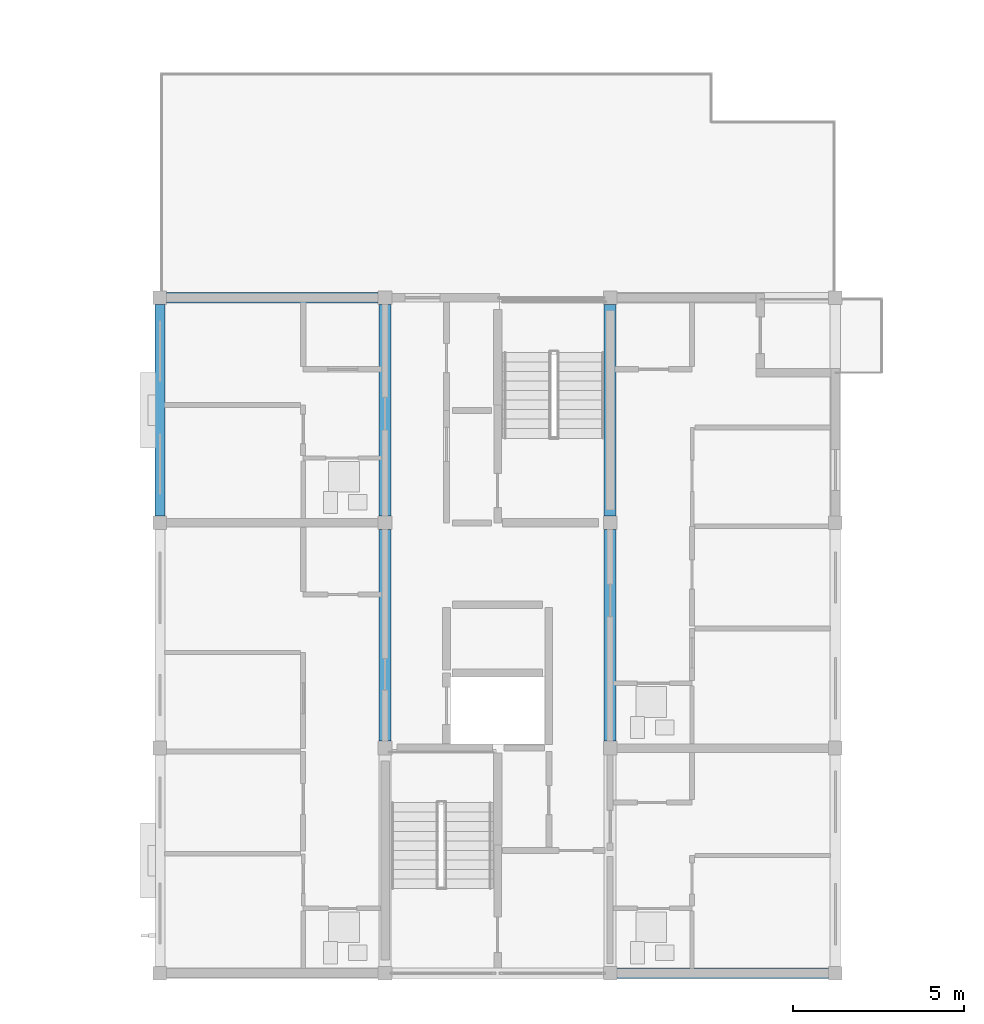
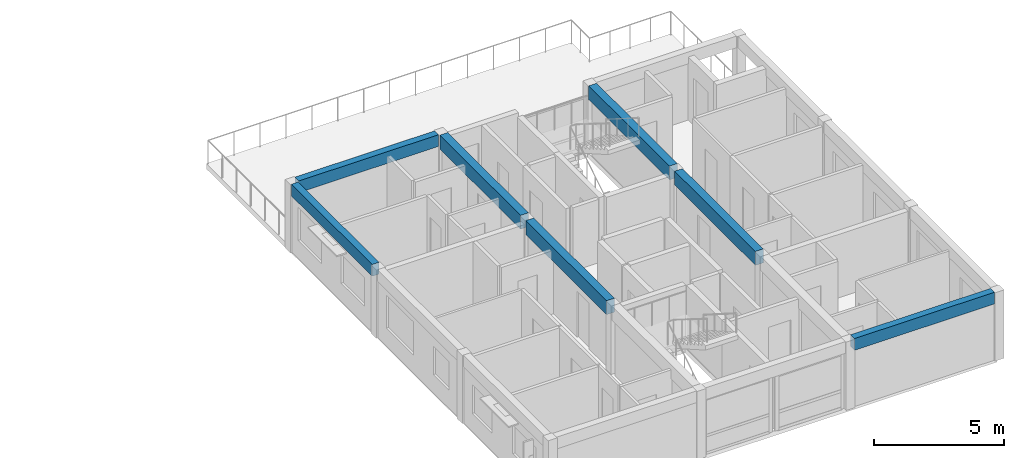
# One storey, part 6 of 37: 7 beams.
"""IFC4 building model written with IfcOpenShell, lengths in metres."""

from ifc_helpers import new_model, si_unit, direction, frame, origin, origin_2d, place, context, subcontext, project, spatial, rectangle, extrude, material, material_profile, profile_set, type_object, element, save


model = new_model("IFC4")

# Units and contexts
model_context = context("Model", 3, precision=1e-05, world=origin(), true_north=direction((0.0, 1.0)))
body_context = subcontext(model_context, "Body", "Model", "MODEL_VIEW")
ifc_project = project(units=[si_unit("LENGTHUNIT", "METRE"), si_unit("AREAUNIT", "SQUARE_METRE"), si_unit("VOLUMEUNIT", "CUBIC_METRE"), si_unit("PLANEANGLEUNIT", "RADIAN"), si_unit("MASSUNIT", "GRAM", prefix="KILO")], contexts=[model_context])

# Site, building, storey
site_placement = place(None, origin())
site = spatial("IfcSite", under=ifc_project, at=site_placement, CompositionType="ELEMENT")
building_placement = place(site_placement, origin())
building = spatial("IfcBuilding", under=site, at=building_placement, Name="Kernevlak Ridge Housing Community", CompositionType="ELEMENT")
storey_placement = place(building_placement, frame((0.0, 0.0, 37.199951171875)))
storey = spatial("IfcBuildingStorey", under=building, at=storey_placement, Name="L11", CompositionType="ELEMENT", Elevation=37.199951171875)

# Beams
ifc_material = material(Name="Concrete C35/45", Category="concrete")
ifc_material_profile_1 = material_profile(ifc_material, rectangle(XDim=0.35009765625, YDim=0.64990234375, at=origin_2d()), Name="RC 350x650")
ifc_profile_set_1 = profile_set([ifc_material_profile_1], Name="Concrete C35/45")
beam_type_1 = type_object("IfcBeamType", Name="B-02", PredefinedType="BEAM", material=ifc_profile_set_1)
beam_1_placement = place(storey_placement, frame((132.60009765625, 22.39990234375, 2.875), z_axis=(0.0, 1.0, 0.0), x_axis=(-1.0, 0.0, 0.0)))
element("IfcBeam", 1, at=beam_1_placement, inside=storey, type_object=beam_type_1, Name="Beam B-02 L11 1248", PredefinedType="BEAM", context=body_context, shape_type="SweptSolid", body=[
    extrude(rectangle(XDim=0.35009765625, YDim=0.64990234375, at=origin_2d()), origin(), (0.0, 0.0, 1.0), 6.2001953125),
])
beam_2_placement = place(storey_placement, frame((132.60009765625, 29.0, 2.875), z_axis=(0.0, 1.0, 0.0), x_axis=(-1.0, 0.0, 0.0)))
element("IfcBeam", 2, at=beam_2_placement, inside=storey, type_object=beam_type_1, Name="Beam B-02 L11 1249", PredefinedType="BEAM", context=body_context, shape_type="SweptSolid", body=[
    extrude(rectangle(XDim=0.35009765625, YDim=0.64990234375, at=origin_2d()), origin(), (0.0, 0.0, 1.0), 6.199951171875),
])
beam_3_placement = place(storey_placement, frame((139.199951171875, 22.39990234375, 2.875), z_axis=(0.0, 1.0, 0.0), x_axis=(-1.0, 0.0, 0.0)))
element("IfcBeam", 3, at=beam_3_placement, inside=storey, type_object=beam_type_1, Name="Beam B-02 L11 1251", PredefinedType="BEAM", context=body_context, shape_type="SweptSolid", body=[
    extrude(rectangle(XDim=0.35009765625, YDim=0.64990234375, at=origin_2d()), origin(), (0.0, 0.0, 1.0), 6.2001953125),
])
beam_4_placement = place(storey_placement, frame((139.199951171875, 29.0, 2.875), z_axis=(0.0, 1.0, 0.0), x_axis=(-1.0, 0.0, 0.0)))
element("IfcBeam", 4, at=beam_4_placement, inside=storey, type_object=beam_type_1, Name="Beam B-02 L11 1252", PredefinedType="BEAM", context=body_context, shape_type="SweptSolid", body=[
    extrude(rectangle(XDim=0.35009765625, YDim=0.64990234375, at=origin_2d()), origin(), (0.0, 0.0, 1.0), 6.199951171875),
])
ifc_material_profile_2 = material_profile(ifc_material, rectangle(XDim=0.300048828125, YDim=0.550048828125, at=origin_2d()), Name="RC 300x550")
ifc_profile_set_2 = profile_set([ifc_material_profile_2], Name="Concrete C35/45")
beam_type_2 = type_object("IfcBeamType", Name="SP-01", PredefinedType="SPANDREL", material=ifc_profile_set_2)
beam_5_placement = place(storey_placement, frame((126.0, 29.0, 2.925048828125), z_axis=(0.0, 1.0, 0.0), x_axis=(-1.0, 0.0, 0.0)))
element("IfcBeam", 5, at=beam_5_placement, inside=storey, type_object=beam_type_2, Name="Beam SP-01 L11 1246", PredefinedType="SPANDREL", context=body_context, shape_type="SweptSolid", body=[
    extrude(rectangle(XDim=0.300048828125, YDim=0.550048828125, at=origin_2d()), origin(), (0.0, 0.0, 1.0), 6.199951171875),
])
beam_6_placement = place(storey_placement, frame((139.39990234375, 15.60009765625, 2.925048828125), z_axis=(1.0, 0.0, 0.0), x_axis=(0.0, 1.0, 0.0)))
element("IfcBeam", 6, at=beam_6_placement, inside=storey, type_object=beam_type_2, Name="Beam SP-01 L11 1258", PredefinedType="SPANDREL", context=body_context, shape_type="SweptSolid", body=[
    extrude(rectangle(XDim=0.300048828125, YDim=0.550048828125, at=origin_2d()), origin(), (0.0, 0.0, 1.0), 6.2001953125),
])
beam_7_placement = place(storey_placement, frame((126.199951171875, 35.39990234375, 2.925048828125), z_axis=(1.0, 0.0, 0.0), x_axis=(0.0, 1.0, 0.0)))
element("IfcBeam", 7, at=beam_7_placement, inside=storey, type_object=beam_type_2, Name="Beam SP-01 L11 1259", PredefinedType="SPANDREL", context=body_context, shape_type="SweptSolid", body=[
    extrude(rectangle(XDim=0.300048828125, YDim=0.550048828125, at=origin_2d()), origin(), (0.0, 0.0, 1.0), 6.199951171875),
])

save(model, "model.ifc")
